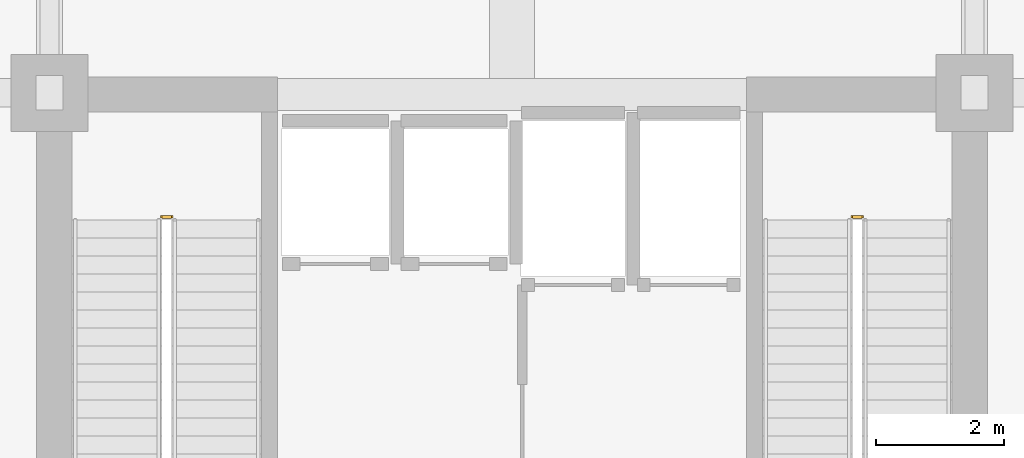
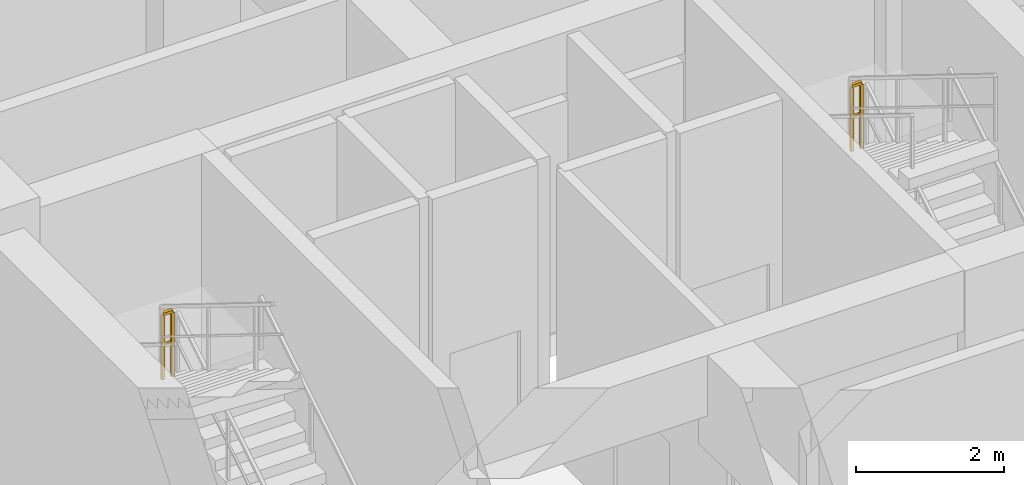
# One storey, part 8 of 8: 2 railings.
"""IFC4 building model written with IfcOpenShell, lengths in metres."""

from ifc_helpers import new_model, si_unit, direction, frame, origin, origin_2d, place, context, subcontext, project, spatial, rectangle, extrude, material, type_object, element, save


model = new_model("IFC4")

# Units and contexts
model_context = context("Model", 3, precision=1e-05, world=origin(), true_north=direction((0.0, 1.0)))
body_context = subcontext(model_context, "Body", "Model", "MODEL_VIEW")
ifc_project = project(units=[si_unit("LENGTHUNIT", "METRE"), si_unit("AREAUNIT", "SQUARE_METRE"), si_unit("VOLUMEUNIT", "CUBIC_METRE"), si_unit("PLANEANGLEUNIT", "RADIAN"), si_unit("MASSUNIT", "GRAM", prefix="KILO")], contexts=[model_context])

# Site, building, storey
site_placement = place(None, origin())
site = spatial("IfcSite", under=ifc_project, at=site_placement, CompositionType="ELEMENT")
building_placement = place(site_placement, origin())
building = spatial("IfcBuilding", under=site, at=building_placement, Name="Kaliganga Portal Commons", CompositionType="ELEMENT")
storey_placement = place(building_placement, frame((0.0, 0.0, 130.39990234375)))
storey = spatial("IfcBuildingStorey", under=building, at=storey_placement, Name="L33", CompositionType="ELEMENT", Elevation=130.39990234375)

# Railings
ifc_material = material(Name="Galvanized Painted Steel Balustrade", Category="steel")
railing_type = type_object("IfcRailingType", Name="RLG-STAIR-GRD", PredefinedType="GUARDRAIL", material=ifc_material)
for number, where, name in (
    (1, (16.300048828125, 34.219970703125, 2.60009765625), "L33 ST-A1 stair guard 2"),
    (2, (27.050048828125, 34.219970703125, 2.60009765625), "L33 ST-A2 stair guard 2"),
):
    element("IfcRailing", number, at=place(storey_placement, frame(where)), inside=storey, type_object=railing_type, Name=name, PredefinedType="GUARDRAIL", context=body_context, shape_type="SweptSolid", body=[
        extrude(rectangle(XDim=0.048095703125, YDim=0.048095703125, at=origin_2d()), frame((0.0, 0.0, 1.076171875), z_axis=(-1.0, 0.0, 0.0), x_axis=(0.0, -1.0, 0.0)), (0.0, 0.0, 1.0), 0.150146484375),
        extrude(rectangle(XDim=0.028076171875, YDim=0.028076171875, at=origin_2d()), frame((0.0, 0.0, 0.572021484375), z_axis=(-1.0, 0.0, 0.0), x_axis=(0.0, -1.0, 0.0)), (0.0, 0.0, 1.0), 0.150146484375),
        extrude(rectangle(XDim=0.0419921875, YDim=0.0419921875, at=origin_2d()), origin(), (0.0, 0.0, 1.0), 1.052001953125),
        extrude(rectangle(XDim=0.0419921875, YDim=0.0419921875, at=origin_2d()), frame((-0.150146484375, 0.0, 0.0)), (0.0, 0.0, 1.0), 1.052001953125),
    ])

save(model, "model.ifc")
